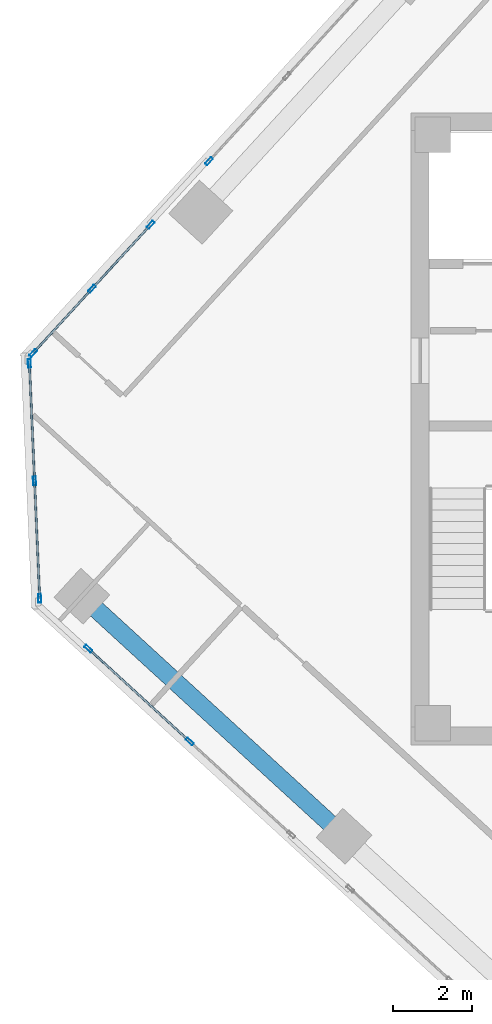
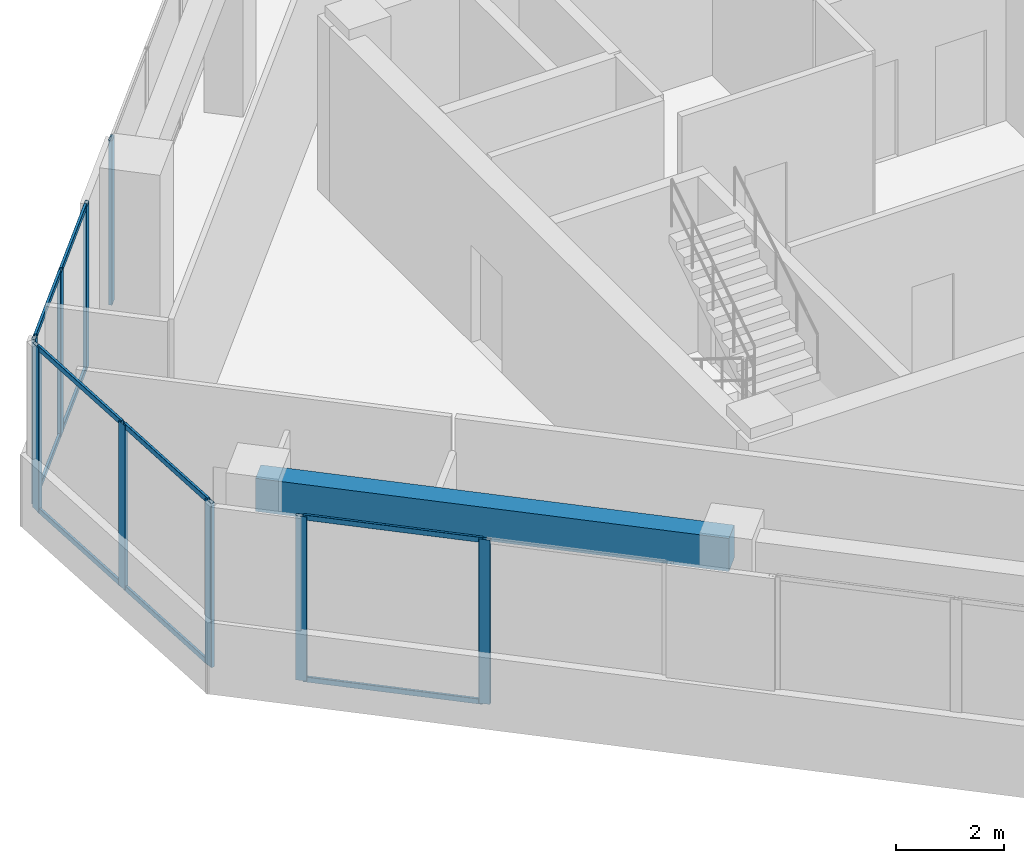
# One storey, part 4 of 18: 19 members, 1 beam, 4 elements without a shape of their own.
"""IFC4 building model written with IfcOpenShell, lengths in metres."""

from ifc_helpers import new_model, si_unit, direction, frame, origin, origin_2d, place, context, subcontext, project, spatial, rectangle, hollow_rectangle, extrude, source, transform, mapped, material, material_profile, profile_set, type_object, element, aggregate, save


model = new_model("IFC4")

# Units and contexts
model_context = context("Model", 3, precision=1e-05, world=origin(), true_north=direction((0.0, 1.0)))
body_context = subcontext(model_context, "Body", "Model", "MODEL_VIEW")
ifc_project = project(units=[si_unit("LENGTHUNIT", "METRE"), si_unit("AREAUNIT", "SQUARE_METRE"), si_unit("VOLUMEUNIT", "CUBIC_METRE"), si_unit("PLANEANGLEUNIT", "RADIAN"), si_unit("MASSUNIT", "GRAM", prefix="KILO")], contexts=[model_context])

# Site, building, storey
site_placement = place(None, origin())
site = spatial("IfcSite", under=ifc_project, at=site_placement, CompositionType="ELEMENT")
building_placement = place(site_placement, origin())
building = spatial("IfcBuilding", under=site, at=building_placement, Name="Torre Montelarca", CompositionType="ELEMENT")
storey_placement = place(building_placement, frame((0.0, 0.0, 233.199951171875)))
storey = spatial("IfcBuildingStorey", under=building, at=storey_placement, Name="L52", CompositionType="ELEMENT", Elevation=233.199951171875)

# Beam
ifc_material_1 = material(Name="Concrete C55/67", Category="concrete")
ifc_material_profile_1 = material_profile(ifc_material_1, rectangle(XDim=0.449951171875, YDim=0.75, at=origin_2d()), Name="RCB450X750", Category="concrete")
ifc_profile_set_1 = profile_set([ifc_material_profile_1], Name="Concrete C55/67")
beam_type = type_object("IfcBeamType", Name="BM-SP-RC750-EXT", PredefinedType="SPANDREL", material=ifc_profile_set_1)
shared_shape_1 = source(origin(), body_context, "Body", "SweptSolid", [
    extrude(rectangle(XDim=0.449951171875, YDim=0.75, at=origin_2d()), origin(), (0.0, 0.0, 1.0), 9.0),
])
beam_placement = place(storey_placement, frame((0.663818359375, 27.763671875, 3.5849609375), z_axis=(0.73727686361, -0.675590724023, 0.0), x_axis=(0.675590724023, 0.73727686361, 0.0)))
element("IfcBeam", 1, at=beam_placement, inside=storey, type_object=beam_type, Name="L52 Grid Girder X 9.0-18.0 at Y=14.8", PredefinedType="SPANDREL", context=body_context, shape_type="MappedRepresentation", body=[
    mapped(shared_shape_1, transform((0.0, 0.0, 0.0), scale=1.0)),
])

# Curtain wall, members
ifc_material_2 = material(Name="Insulated low-E laminated glass", Category="glass")
curtain_wall_type = type_object("IfcCurtainWallType", Name="CW-SYS-Z3", PredefinedType="USERDEFINED", material=ifc_material_2)
curtain_wall_1_placement = place(storey_placement, origin())
curtain_wall_1 = element("IfcCurtainWall", 2, at=curtain_wall_1_placement, inside=storey, type_object=curtain_wall_type, Name="L52 Curtain Wall Run CW-T3-L52-E11-B1", ObjectType="UNITISED GLAZING", PredefinedType="USERDEFINED")
ifc_material_3 = material(Name="Anodised aluminium AA 6063-T6", Category="aluminium")
ifc_material_profile_2 = material_profile(ifc_material_3, hollow_rectangle(XDim=0.054931640625, YDim=0.1201171875, WallThickness=0.00341796875, InnerFilletRadius=0.00341796875, OuterFilletRadius=0.007080078125, at=origin_2d()), Name="ALU55X120X3.5", Category="aluminium")
ifc_profile_set_2 = profile_set([ifc_material_profile_2], Name="Anodised aluminium AA 6063-T6")
member_type_1 = type_object("IfcMemberType", Name="CWT-ALU120", PredefinedType="USERDEFINED", material=ifc_profile_set_2)
shared_shape_2 = source(origin(), body_context, "Body", "SweptSolid", [
    extrude(hollow_rectangle(XDim=0.054931640625, YDim=0.1201171875, WallThickness=0.00341796875, InnerFilletRadius=0.00341796875, OuterFilletRadius=0.007080078125, at=origin_2d()), origin(), (0.0, 0.0, 1.0), 2.903564453125),
])
member_1_placement = place(storey_placement, frame((-0.6650390625, 33.622314453125, 0.027587890625), z_axis=(0.043637906688, -0.999047412839, 0.0), x_axis=(0.999047412839, 0.043637906688, 0.0)))
member_1 = element("IfcMember", 3, at=member_1_placement, type_object=member_type_1, Name="CW transom 1.1", ObjectType="TRANSOM", PredefinedType="USERDEFINED", context=body_context, shape_type="MappedRepresentation", body=[
    mapped(shared_shape_2, transform((0.0, 0.0, 0.0), scale=1.0)),
])
member_2_placement = place(storey_placement, frame((-0.6650390625, 33.622314453125, 3.692626953125), z_axis=(0.043637906688, -0.999047412839, 0.0), x_axis=(0.999047412839, 0.043637906688, 0.0)))
member_2 = element("IfcMember", 4, at=member_2_placement, type_object=member_type_1, Name="CW transom 1.2", ObjectType="TRANSOM", PredefinedType="USERDEFINED", context=body_context, shape_type="MappedRepresentation", body=[
    mapped(shared_shape_2, transform((0.0, 0.0, 0.0), scale=1.0)),
])
member_3_placement = place(storey_placement, frame((-0.53515625, 30.646484375, 0.027587890625), z_axis=(0.043637906688, -0.999047412839, 0.0), x_axis=(0.999047412839, 0.043637906688, 0.0)))
member_3 = element("IfcMember", 5, at=member_3_placement, type_object=member_type_1, Name="CW transom 2.1", ObjectType="TRANSOM", PredefinedType="USERDEFINED", context=body_context, shape_type="MappedRepresentation", body=[
    mapped(shared_shape_2, transform((0.0, 0.0, 0.0), scale=1.0)),
])
member_4_placement = place(storey_placement, frame((-0.53515625, 30.646484375, 3.692626953125), z_axis=(0.043637906688, -0.999047412839, 0.0), x_axis=(0.999047412839, 0.043637906688, 0.0)))
member_4 = element("IfcMember", 6, at=member_4_placement, type_object=member_type_1, Name="CW transom 2.2", ObjectType="TRANSOM", PredefinedType="USERDEFINED", context=body_context, shape_type="MappedRepresentation", body=[
    mapped(shared_shape_2, transform((0.0, 0.0, 0.0), scale=1.0)),
])

curtain_wall_2_placement = place(storey_placement, origin())
curtain_wall_2 = element("IfcCurtainWall", 7, at=curtain_wall_2_placement, inside=storey, type_object=curtain_wall_type, Name="L52 Curtain Wall Run CW-T3-L52-E01-B1", ObjectType="UNITISED GLAZING", PredefinedType="USERDEFINED")
shared_shape_3 = source(origin(), body_context, "Body", "SweptSolid", [
    extrude(hollow_rectangle(XDim=0.054931640625, YDim=0.1201171875, WallThickness=0.00341796875, InnerFilletRadius=0.00341796875, OuterFilletRadius=0.007080078125, at=origin_2d()), origin(), (0.0, 0.0, 1.0), 3.407470703125),
])
member_5_placement = place(storey_placement, frame((0.85400390625, 26.409423828125, 0.027587890625), z_axis=(0.737279042037, -0.675588346683, 0.0), x_axis=(0.675588346683, 0.737279042037, 0.0)))
member_5 = element("IfcMember", 8, at=member_5_placement, type_object=member_type_1, Name="CW transom 1.1", ObjectType="TRANSOM", PredefinedType="USERDEFINED", context=body_context, shape_type="MappedRepresentation", body=[
    mapped(shared_shape_3, transform((0.0, 0.0, 0.0), scale=1.0)),
])
member_6_placement = place(storey_placement, frame((0.85400390625, 26.409423828125, 3.692626953125), z_axis=(0.737279042037, -0.675588346683, 0.0), x_axis=(0.675588346683, 0.737279042037, 0.0)))
member_6 = element("IfcMember", 9, at=member_6_placement, type_object=member_type_1, Name="CW transom 1.2", ObjectType="TRANSOM", PredefinedType="USERDEFINED", context=body_context, shape_type="MappedRepresentation", body=[
    mapped(shared_shape_3, transform((0.0, 0.0, 0.0), scale=1.0)),
])
ifc_material_profile_3 = material_profile(ifc_material_3, hollow_rectangle(XDim=0.074951171875, YDim=0.219970703125, WallThickness=0.0048828125, InnerFilletRadius=0.0048828125, OuterFilletRadius=0.010009765625, at=origin_2d()), Name="ALU75X220X5", Category="aluminium")
ifc_profile_set_3 = profile_set([ifc_material_profile_3], Name="Anodised aluminium AA 6063-T6")
member_type_2 = type_object("IfcMemberType", Name="CWM-ALU220", PredefinedType="MULLION", material=ifc_profile_set_3)
shared_shape_4 = source(origin(), body_context, "Body", "SweptSolid", [
    extrude(hollow_rectangle(XDim=0.074951171875, YDim=0.219970703125, WallThickness=0.0048828125, InnerFilletRadius=0.0048828125, OuterFilletRadius=0.010009765625, at=origin_2d()), origin(), (0.0, 0.0, 1.0), 3.719970703125),
])
member_7_placement = place(storey_placement, frame((0.826171875, 26.434814453125, 0.0), z_axis=(0.0, 0.0, 1.0), x_axis=(0.675581176874, 0.737285611859, 0.0)))
member_7 = element("IfcMember", 10, at=member_7_placement, type_object=member_type_2, Name="CW mullion 1", PredefinedType="MULLION", context=body_context, shape_type="MappedRepresentation", body=[
    mapped(shared_shape_4, transform((0.0, 0.0, 0.0), scale=1.0)),
])
member_8_placement = place(storey_placement, frame((3.393798828125, 24.08203125, 0.0), z_axis=(0.0, 0.0, 1.0), x_axis=(0.675581176874, 0.737285611859, 0.0)))
member_8 = element("IfcMember", 11, at=member_8_placement, type_object=member_type_2, Name="CW mullion 2", PredefinedType="MULLION", context=body_context, shape_type="MappedRepresentation", body=[
    mapped(shared_shape_4, transform((0.0, 0.0, 0.0), scale=1.0)),
])
aggregate(curtain_wall_2, [member_7, member_8, member_5, member_6])

# Curtain wall, member
curtain_wall_3_placement = place(storey_placement, origin())
curtain_wall_3 = element("IfcCurtainWall", 12, at=curtain_wall_3_placement, inside=storey, type_object=curtain_wall_type, Name="L52 Curtain Wall Run CW-T3-L52-E10-B2", ObjectType="UNITISED GLAZING", PredefinedType="USERDEFINED")
member_9_placement = place(storey_placement, frame((3.87939453125, 38.77734375, 0.0), z_axis=(0.0, 0.0, 1.0), x_axis=(0.737271325578, -0.675596767666, 0.0)))
member_9 = element("IfcMember", 13, at=member_9_placement, type_object=member_type_2, Name="CW mullion 3", PredefinedType="MULLION", context=body_context, shape_type="MappedRepresentation", body=[
    mapped(shared_shape_4, transform((0.0, 0.0, 0.0), scale=1.0)),
])
aggregate(curtain_wall_3, [member_9])

# Curtain wall, members
curtain_wall_4_placement = place(storey_placement, origin())
curtain_wall_4 = element("IfcCurtainWall", 14, at=curtain_wall_4_placement, inside=storey, type_object=curtain_wall_type, Name="L52 Curtain Wall Run CW-T3-L52-E10-B3", ObjectType="UNITISED GLAZING", PredefinedType="USERDEFINED")
member_10_placement = place(storey_placement, frame((2.4033203125, 37.16650390625, 0.0), z_axis=(0.0, 0.0, 1.0), x_axis=(0.737286644488, -0.675580049927, 0.0)))
member_10 = element("IfcMember", 15, at=member_10_placement, type_object=member_type_2, Name="CW mullion 1", PredefinedType="MULLION", context=body_context, shape_type="MappedRepresentation", body=[
    mapped(shared_shape_4, transform((0.0, 0.0, 0.0), scale=1.0)),
])
member_11_placement = place(storey_placement, frame((0.91552734375, 35.54296875, 0.0), z_axis=(0.0, 0.0, 1.0), x_axis=(0.737286644488, -0.675580049927, 0.0)))
member_11 = element("IfcMember", 16, at=member_11_placement, type_object=member_type_2, Name="CW mullion 2", PredefinedType="MULLION", context=body_context, shape_type="MappedRepresentation", body=[
    mapped(shared_shape_4, transform((0.0, 0.0, 0.0), scale=1.0)),
])
member_12_placement = place(storey_placement, frame((-0.572265625, 33.919189453125, 0.0), z_axis=(0.0, 0.0, 1.0), x_axis=(0.737286644488, -0.675580049927, 0.0)))
member_12 = element("IfcMember", 17, at=member_12_placement, type_object=member_type_2, Name="CW mullion 3", PredefinedType="MULLION", context=body_context, shape_type="MappedRepresentation", body=[
    mapped(shared_shape_4, transform((0.0, 0.0, 0.0), scale=1.0)),
])

# Member
member_13_placement = place(storey_placement, frame((-0.666748046875, 33.65966796875, 0.0), z_axis=(0.0, 0.0, 1.0), x_axis=(0.999048385364, 0.043615635968, 0.0)))
member_13 = element("IfcMember", 18, at=member_13_placement, type_object=member_type_2, Name="CW mullion 1", PredefinedType="MULLION", context=body_context, shape_type="MappedRepresentation", body=[
    mapped(shared_shape_4, transform((0.0, 0.0, 0.0), scale=1.0)),
])

member_14_placement = place(storey_placement, frame((-0.536865234375, 30.683837890625, 0.0), z_axis=(0.0, 0.0, 1.0), x_axis=(0.999048385364, 0.043615635968, 0.0)))
member_14 = element("IfcMember", 19, at=member_14_placement, type_object=member_type_2, Name="CW mullion 2", PredefinedType="MULLION", context=body_context, shape_type="MappedRepresentation", body=[
    mapped(shared_shape_4, transform((0.0, 0.0, 0.0), scale=1.0)),
])

member_15_placement = place(storey_placement, frame((-0.40673828125, 27.708251953125, 0.0), z_axis=(0.0, 0.0, 1.0), x_axis=(0.999048385364, 0.043615635968, 0.0)))
member_15 = element("IfcMember", 20, at=member_15_placement, type_object=member_type_2, Name="CW mullion 3", PredefinedType="MULLION", context=body_context, shape_type="MappedRepresentation", body=[
    mapped(shared_shape_4, transform((0.0, 0.0, 0.0), scale=1.0)),
])

aggregate(curtain_wall_1, [member_13, member_14, member_15, member_1, member_2, member_3, member_4])

shared_shape_5 = source(origin(), body_context, "Body", "SweptSolid", [
    extrude(hollow_rectangle(XDim=0.054931640625, YDim=0.1201171875, WallThickness=0.00341796875, InnerFilletRadius=0.00341796875, OuterFilletRadius=0.007080078125, at=origin_2d()), origin(), (0.0, 0.0, 1.0), 2.127197265625),
])
member_16_placement = place(storey_placement, frame((2.3779296875, 37.138916015625, 0.027587890625), z_axis=(-0.675558297658, -0.737306575629, 0.0), x_axis=(0.737306575629, -0.675558297658, 0.0)))
member_16 = element("IfcMember", 21, at=member_16_placement, type_object=member_type_1, Name="CW transom 1.1", ObjectType="TRANSOM", PredefinedType="USERDEFINED", context=body_context, shape_type="MappedRepresentation", body=[
    mapped(shared_shape_5, transform((0.0, 0.0, 0.0), scale=1.0)),
])

member_17_placement = place(storey_placement, frame((2.3779296875, 37.138916015625, 3.692626953125), z_axis=(-0.675558297658, -0.737306575629, 0.0), x_axis=(0.737306575629, -0.675558297658, 0.0)))
member_17 = element("IfcMember", 22, at=member_17_placement, type_object=member_type_1, Name="CW transom 1.2", ObjectType="TRANSOM", PredefinedType="USERDEFINED", context=body_context, shape_type="MappedRepresentation", body=[
    mapped(shared_shape_5, transform((0.0, 0.0, 0.0), scale=1.0)),
])

member_18_placement = place(storey_placement, frame((0.89013671875, 35.51513671875, 0.027587890625), z_axis=(-0.675558297658, -0.737306575629, 0.0), x_axis=(0.737306575629, -0.675558297658, 0.0)))
member_18 = element("IfcMember", 23, at=member_18_placement, type_object=member_type_1, Name="CW transom 2.1", ObjectType="TRANSOM", PredefinedType="USERDEFINED", context=body_context, shape_type="MappedRepresentation", body=[
    mapped(shared_shape_5, transform((0.0, 0.0, 0.0), scale=1.0)),
])

member_19_placement = place(storey_placement, frame((0.89013671875, 35.51513671875, 3.692626953125), z_axis=(-0.675558297658, -0.737306575629, 0.0), x_axis=(0.737306575629, -0.675558297658, 0.0)))
member_19 = element("IfcMember", 24, at=member_19_placement, type_object=member_type_1, Name="CW transom 2.2", ObjectType="TRANSOM", PredefinedType="USERDEFINED", context=body_context, shape_type="MappedRepresentation", body=[
    mapped(shared_shape_5, transform((0.0, 0.0, 0.0), scale=1.0)),
])

aggregate(curtain_wall_4, [member_10, member_11, member_12, member_16, member_17, member_18, member_19])

save(model, "model.ifc")
